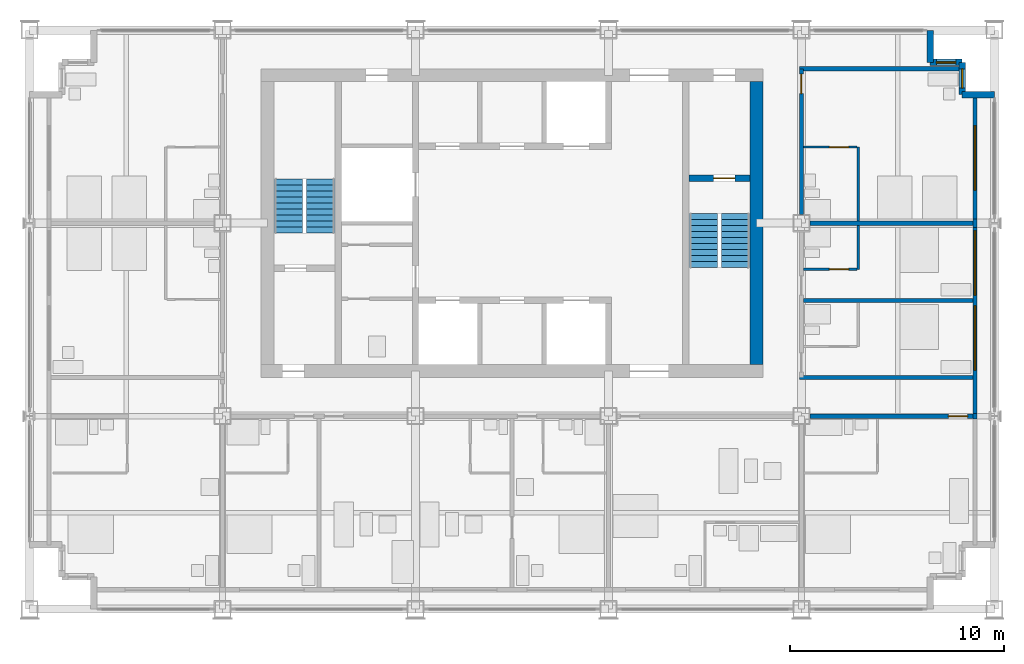
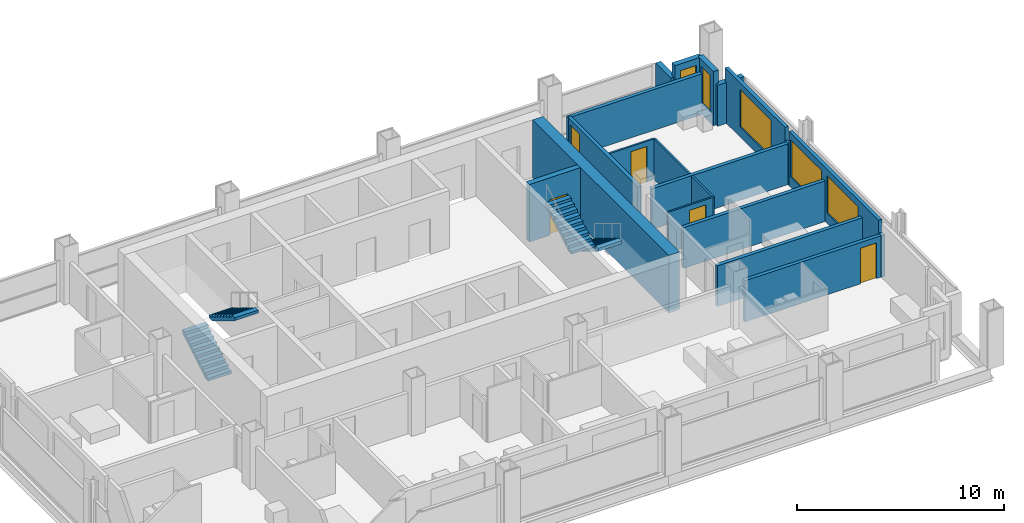
# One storey, part 10 of 13: 20 walls, 5 doors, 5 windows, 4 stair flights, 10 openings, 2 elements without a shape of their own.
"""IFC4 building model written with IfcOpenShell, lengths in metres."""

from ifc_helpers import new_model, si_unit, direction, frame, frame_2d, origin, place, context, subcontext, project, spatial, polyline, rectangle, outline, extrude, material, layer, layer_set, type_object, element, fill, aggregate, save


model = new_model("IFC4")

# Units and contexts
model_context = context("Model", 3, precision=1e-05, world=origin(), true_north=direction((0.0, 1.0)))
body_context = subcontext(model_context, "Body", "Model", "MODEL_VIEW")
ifc_project = project(units=[si_unit("LENGTHUNIT", "METRE"), si_unit("AREAUNIT", "SQUARE_METRE"), si_unit("VOLUMEUNIT", "CUBIC_METRE"), si_unit("PLANEANGLEUNIT", "RADIAN"), si_unit("MASSUNIT", "GRAM", prefix="KILO")], contexts=[model_context])

# Site, building, storey
site_placement = place(None, origin())
site = spatial("IfcSite", under=ifc_project, at=site_placement, CompositionType="ELEMENT")
building_placement = place(site_placement, origin())
building = spatial("IfcBuilding", under=site, at=building_placement, Name="Loomwork Tower", CompositionType="ELEMENT")
storey_placement = place(building_placement, frame((0.0, 0.0, 201.199951171875)))
storey = spatial("IfcBuildingStorey", under=building, at=storey_placement, Name="L55", CompositionType="ELEMENT", Elevation=201.199951171875)

# Wall, opening, door
ifc_material_1 = material(Name="Concrete 14000 psi (97 MPa)", Category="concrete")
ifc_layer_1 = layer(ifc_material_1, 0.300048828125)
ifc_layer_set_1 = layer_set([ifc_layer_1], Name="Core shear wall 300")
wall_type_1 = type_object("IfcWallType", Name="Core shear wall 300", PredefinedType="SHEAR", material=ifc_layer_set_1)
wall_1_placement = place(storey_placement, frame((30.75, 20.10009765625, 0.0), z_axis=(0.0, 0.0, 1.0), x_axis=(1.0, 0.0, 0.0)))
wall_1 = element("IfcWall", 1, at=wall_1_placement, inside=storey, type_object=wall_type_1, Name="Stair B north wall L55", PredefinedType="SHEAR", context=body_context, shape_type="SweptSolid", body=[
    extrude(rectangle(XDim=2.85009765625, YDim=0.300048828125, at=frame_2d((1.425048828125, 0.0))), origin(), (0.0, 0.0, 1.0), 3.400146484375),
])
opening_1_placement = place(wall_1_placement, frame((1.14990234375, 0.0, 0.0)))
opening_1 = element("IfcOpeningElement", 2, at=opening_1_placement, cuts=wall_1, Name="Opening D4", PredefinedType="OPENING", context=body_context, shape_type="SweptSolid", body=[
    extrude(rectangle(XDim=1.0, YDim=2.10009765625, at=frame_2d((0.5, 1.050048828125))), frame((0.0, 0.159912109375, 0.0), z_axis=(0.0, -1.0, 0.0), x_axis=(1.0, 0.0, 0.0)), (0.0, 0.0, 1.0), 0.320068359375),
])
ifc_material_2 = material(Name="Hollow metal door and frame")
door_type_1 = type_object("IfcDoorType", Name="Stair door 1000", OperationType="SINGLE_SWING_RIGHT", PredefinedType="DOOR", material=ifc_material_2)
door_1_placement = place(opening_1_placement, frame((1.0, 0.0, 0.0), z_axis=(0.0, 0.0, 1.0), x_axis=(-1.0, 0.0, 0.0)))
door_1 = element("IfcDoor", 3, at=door_1_placement, inside=storey, type_object=door_type_1, Name="Stair B door", OperationType="SINGLE_SWING_LEFT", OverallHeight=2.10009765625, OverallWidth=1.0, PredefinedType="DOOR", context=body_context, shape_type="SweptSolid", body=[
    extrude(rectangle(XDim=1.0, YDim=2.10009765625, at=frame_2d((0.5, 1.050048828125))), frame((0.0, 0.02490234375, 0.0), z_axis=(0.0, -1.0, 0.0), x_axis=(1.0, 0.0, 0.0)), (0.0, 0.0, 1.0), 0.050048828125),
])
fill(opening_1, door_1)

# Wall
ifc_material_3 = material(Name="Concrete 14000 psi (97 MPa)", Category="concrete")
ifc_layer_2 = layer(ifc_material_3, 0.60009765625)
ifc_layer_set_2 = layer_set([ifc_layer_2], Name="Core shear wall 600")
wall_type_2 = type_object("IfcWallType", Name="Core shear wall 600", PredefinedType="SHEAR", material=ifc_layer_set_2)
wall_2_placement = place(storey_placement, frame((33.89990234375, 11.39990234375, 0.0), z_axis=(0.0, 0.0, 1.0), x_axis=(0.0, 1.0, 0.0)))
element("IfcWall", 4, at=wall_2_placement, inside=storey, type_object=wall_type_2, Name="Core wall east L55", PredefinedType="SHEAR", context=body_context, shape_type="SweptSolid", body=[
    extrude(rectangle(XDim=13.2001953125, YDim=0.60009765625, at=frame_2d((6.60009765625, 0.0))), origin(), (0.0, 0.0, 1.0), 3.400146484375),
])

# Wall, opening, door
ifc_material_4 = material(Name="Gypsum board on steel studs, one-hour", Category="steel")
ifc_layer_3 = layer(ifc_material_4, 0.199951171875)
ifc_layer_set_3 = layer_set([ifc_layer_3], Name="Corridor wall 200")
wall_type_3 = type_object("IfcWallType", Name="Corridor wall 200", PredefinedType="PARTITIONING", material=ifc_layer_set_3)
wall_3_placement = place(storey_placement, frame((36.39990234375, 9.0, 0.0), z_axis=(0.0, 0.0, 1.0), x_axis=(1.0, 0.0, 0.0)))
wall_3 = element("IfcWall", 5, at=wall_3_placement, inside=storey, type_object=wall_type_3, Name="South corridor wall 5", PredefinedType="PARTITIONING", context=body_context, shape_type="SweptSolid", body=[
    extrude(rectangle(XDim=7.60009765625, YDim=0.199951171875, at=frame_2d((3.800048828125, 0.0))), origin(), (0.0, 0.0, 1.0), 2.43798828125),
])
opening_2_placement = place(wall_3_placement, frame((6.449951171875, 0.0, 0.0)))
opening_2 = element("IfcOpeningElement", 6, at=opening_2_placement, cuts=wall_3, Name="Opening D1", PredefinedType="OPENING", context=body_context, shape_type="SweptSolid", body=[
    extrude(rectangle(XDim=0.89990234375, YDim=2.10009765625, at=frame_2d((0.449951171875, 1.050048828125))), frame((0.0, 0.10986328125, 0.0), z_axis=(0.0, -1.0, 0.0), x_axis=(1.0, 0.0, 0.0)), (0.0, 0.0, 1.0), 0.219970703125),
])
ifc_material_5 = material(Name="Hollow metal door and frame")
door_type_2 = type_object("IfcDoorType", Name="Guest room entry door 900", OperationType="SINGLE_SWING_LEFT", PredefinedType="DOOR", material=ifc_material_5)
door_2_placement = place(opening_2_placement, frame((0.89990234375, 0.0, 0.0), z_axis=(0.0, 0.0, 1.0), x_axis=(-1.0, 0.0, 0.0)))
door_2 = element("IfcDoor", 7, at=door_2_placement, inside=storey, type_object=door_type_2, Name="Guest room entry door L55 6", OperationType="SINGLE_SWING_LEFT", OverallHeight=2.10009765625, OverallWidth=0.89990234375, PredefinedType="DOOR", context=body_context, shape_type="SweptSolid", body=[
    extrude(rectangle(XDim=0.89990234375, YDim=2.10009765625, at=frame_2d((0.449951171875, 1.050048828125))), frame((0.0, 0.02490234375, 0.0), z_axis=(0.0, -1.0, 0.0), x_axis=(1.0, 0.0, 0.0)), (0.0, 0.0, 1.0), 0.050048828125),
])
fill(opening_2, door_2)

wall_4_placement = place(storey_placement, frame((36.0, 18.39990234375, 0.0), z_axis=(0.0, 0.0, 1.0), x_axis=(0.0, 1.0, 0.0)))
wall_4 = element("IfcWall", 8, at=wall_4_placement, inside=storey, type_object=wall_type_3, Name="East corridor wall 2", PredefinedType="PARTITIONING", context=body_context, shape_type="SweptSolid", body=[
    extrude(rectangle(XDim=6.800048828125, YDim=0.199951171875, at=frame_2d((3.39990234375, 0.0))), origin(), (0.0, 0.0, 1.0), 2.405029296875),
])
opening_3_placement = place(wall_4_placement, frame((5.64990234375, 0.0, 0.0)))
opening_3 = element("IfcOpeningElement", 9, at=opening_3_placement, cuts=wall_4, Name="Opening D1", PredefinedType="OPENING", context=body_context, shape_type="SweptSolid", body=[
    extrude(rectangle(XDim=0.89990234375, YDim=2.10009765625, at=frame_2d((0.449951171875, 1.050048828125))), frame((0.0, 0.10986328125, 0.0), z_axis=(0.0, -1.0, 0.0), x_axis=(1.0, 0.0, 0.0)), (0.0, 0.0, 1.0), 0.219970703125),
])
door_3_placement = place(opening_3_placement, frame((0.89990234375, 0.0, 0.0), z_axis=(0.0, 0.0, 1.0), x_axis=(-1.0, 0.0, 0.0)))
door_3 = element("IfcDoor", 10, at=door_3_placement, inside=storey, type_object=door_type_2, Name="Guest room entry door L55 11", OperationType="SINGLE_SWING_LEFT", OverallHeight=2.10009765625, OverallWidth=0.89990234375, PredefinedType="DOOR", context=body_context, shape_type="SweptSolid", body=[
    extrude(rectangle(XDim=0.89990234375, YDim=2.10009765625, at=frame_2d((0.449951171875, 1.050048828125))), frame((0.0, 0.02490234375, 0.0), z_axis=(0.0, -1.0, 0.0), x_axis=(1.0, 0.0, 0.0)), (0.0, 0.0, 1.0), 0.050048828125),
])
fill(opening_3, door_3)

# Walls
wall_5_placement = place(storey_placement, frame((35.89990234375, 10.800048828125, 0.0), z_axis=(0.0, 0.0, 1.0), x_axis=(1.0, 0.0, 0.0)))
element("IfcWall", 11, at=wall_5_placement, inside=storey, type_object=wall_type_3, Name="East band end wall S", PredefinedType="PARTITIONING", context=body_context, shape_type="SweptSolid", body=[
    extrude(rectangle(XDim=8.10009765625, YDim=0.199951171875, at=frame_2d((4.050048828125, 0.0))), origin(), (0.0, 0.0, 1.0), 2.404052734375),
])
wall_6_placement = place(storey_placement, frame((35.89990234375, 25.199951171875, 0.0), z_axis=(0.0, 0.0, 1.0), x_axis=(1.0, 0.0, 0.0)))
element("IfcWall", 12, at=wall_6_placement, inside=storey, type_object=wall_type_3, Name="East band end wall N", PredefinedType="PARTITIONING", context=body_context, shape_type="SweptSolid", body=[
    extrude(rectangle(XDim=7.4501953125, YDim=0.199951171875, at=frame_2d((3.72509765625, 0.0))), origin(), (0.0, 0.0, 1.0), 2.404052734375),
])
ifc_material_6 = material(Name="Cement board on steel studs", Category="steel")
ifc_layer_4 = layer(ifc_material_6, 0.10009765625)
ifc_layer_set_4 = layer_set([ifc_layer_4], Name="En-suite partition 100")
wall_type_4 = type_object("IfcWallType", Name="En-suite partition 100", PredefinedType="PARTITIONING", material=ifc_layer_set_4)
wall_7_placement = place(storey_placement, frame((38.64990234375, 15.85009765625, 0.0), z_axis=(0.0, 0.0, 1.0), x_axis=(0.0, 1.0, 0.0)))
element("IfcWall", 13, at=wall_7_placement, inside=storey, type_object=wall_type_4, Name="En-suite wall L55 room 10", PredefinedType="PARTITIONING", context=body_context, shape_type="SweptSolid", body=[
    extrude(rectangle(XDim=2.0498046875, YDim=0.10009765625, at=frame_2d((1.02490234375, 0.0))), origin(), (0.0, 0.0, 1.0), 2.404052734375),
])

# Wall, opening, door
wall_8_placement = place(storey_placement, frame((36.10009765625, 15.85009765625, 0.0), z_axis=(0.0, 0.0, 1.0), x_axis=(1.0, 0.0, 0.0)))
wall_8 = element("IfcWall", 14, at=wall_8_placement, inside=storey, type_object=wall_type_4, Name="En-suite side wall L55 room 10", PredefinedType="PARTITIONING", context=body_context, shape_type="SweptSolid", body=[
    extrude(rectangle(XDim=2.5, YDim=0.10009765625, at=frame_2d((1.25, 0.0))), origin(), (0.0, 0.0, 1.0), 2.404052734375),
])
opening_4_placement = place(wall_8_placement, frame((1.199951171875, 0.0, 0.0)))
opening_4 = element("IfcOpeningElement", 15, at=opening_4_placement, cuts=wall_8, Name="Opening D2", PredefinedType="OPENING", context=body_context, shape_type="SweptSolid", body=[
    extrude(rectangle(XDim=0.89990234375, YDim=2.10009765625, at=frame_2d((0.449951171875, 1.050048828125))), frame((0.0, 0.06005859375, 0.0), z_axis=(0.0, -1.0, 0.0), x_axis=(1.0, 0.0, 0.0)), (0.0, 0.0, 1.0), 0.1201171875),
])
ifc_material_7 = material(Name="Hollow metal door and frame")
door_type_3 = type_object("IfcDoorType", Name="En-suite door 900", OperationType="SINGLE_SWING_LEFT", PredefinedType="DOOR", material=ifc_material_7)
door_4_placement = place(opening_4_placement, origin())
door_4 = element("IfcDoor", 16, at=door_4_placement, inside=storey, type_object=door_type_3, Name="En-suite door room 10", OperationType="SINGLE_SWING_RIGHT", OverallHeight=2.10009765625, OverallWidth=0.89990234375, PredefinedType="DOOR", context=body_context, shape_type="SweptSolid", body=[
    extrude(rectangle(XDim=0.89990234375, YDim=2.10009765625, at=frame_2d((0.449951171875, 1.050048828125))), frame((0.0, 0.02490234375, 0.0), z_axis=(0.0, -1.0, 0.0), x_axis=(1.0, 0.0, 0.0)), (0.0, 0.0, 1.0), 0.050048828125),
])
fill(opening_4, door_4)

# Wall
wall_9_placement = place(storey_placement, frame((38.64990234375, 18.10009765625, 0.0), z_axis=(0.0, 0.0, 1.0), x_axis=(0.0, 1.0, 0.0)))
element("IfcWall", 17, at=wall_9_placement, inside=storey, type_object=wall_type_4, Name="En-suite wall L55 room 11", PredefinedType="PARTITIONING", context=body_context, shape_type="SweptSolid", body=[
    extrude(rectangle(XDim=3.449951171875, YDim=0.10009765625, at=frame_2d((1.72509765625, 0.0))), origin(), (0.0, 0.0, 1.0), 2.404052734375),
])

# Wall, opening, door
wall_10_placement = place(storey_placement, frame((36.10009765625, 21.550048828125, 0.0), z_axis=(0.0, 0.0, 1.0), x_axis=(1.0, 0.0, 0.0)))
wall_10 = element("IfcWall", 18, at=wall_10_placement, inside=storey, type_object=wall_type_4, Name="En-suite side wall L55 room 11", PredefinedType="PARTITIONING", context=body_context, shape_type="SweptSolid", body=[
    extrude(rectangle(XDim=2.5, YDim=0.10009765625, at=frame_2d((1.25, 0.0))), origin(), (0.0, 0.0, 1.0), 2.404052734375),
])
opening_5_placement = place(wall_10_placement, frame((1.199951171875, 0.0, 0.0)))
opening_5 = element("IfcOpeningElement", 19, at=opening_5_placement, cuts=wall_10, Name="Opening D2", PredefinedType="OPENING", context=body_context, shape_type="SweptSolid", body=[
    extrude(rectangle(XDim=0.89990234375, YDim=2.10009765625, at=frame_2d((0.449951171875, 1.050048828125))), frame((0.0, 0.06005859375, 0.0), z_axis=(0.0, -1.0, 0.0), x_axis=(1.0, 0.0, 0.0)), (0.0, 0.0, 1.0), 0.1201171875),
])
door_5_placement = place(opening_5_placement, frame((0.89990234375, 0.0, 0.0), z_axis=(0.0, 0.0, 1.0), x_axis=(-1.0, 0.0, 0.0)))
door_5 = element("IfcDoor", 20, at=door_5_placement, inside=storey, type_object=door_type_3, Name="En-suite door room 11", OperationType="SINGLE_SWING_LEFT", OverallHeight=2.10009765625, OverallWidth=0.89990234375, PredefinedType="DOOR", context=body_context, shape_type="SweptSolid", body=[
    extrude(rectangle(XDim=0.89990234375, YDim=2.10009765625, at=frame_2d((0.449951171875, 1.050048828125))), frame((0.0, 0.02490234375, 0.0), z_axis=(0.0, -1.0, 0.0), x_axis=(1.0, 0.0, 0.0)), (0.0, 0.0, 1.0), 0.050048828125),
])
fill(opening_5, door_5)

# Walls
ifc_material_8 = material(Name="Gypsum board on steel studs, acoustic", Category="steel")
ifc_layer_5 = layer(ifc_material_8, 0.199951171875)
ifc_layer_set_5 = layer_set([ifc_layer_5], Name="Guest room party wall 200")
wall_type_5 = type_object("IfcWallType", Name="Guest room party wall 200", PredefinedType="PARTITIONING", material=ifc_layer_set_5)
wall_11_placement = place(storey_placement, frame((36.10009765625, 14.39990234375, 0.0), z_axis=(0.0, 0.0, 1.0), x_axis=(1.0, 0.0, 0.0)))
element("IfcWall", 21, at=wall_11_placement, inside=storey, type_object=wall_type_5, Name="Guest room party wall E 14.4", PredefinedType="PARTITIONING", context=body_context, shape_type="SweptSolid", body=[
    extrude(rectangle(XDim=7.89990234375, YDim=0.199951171875, at=frame_2d((3.949951171875, 0.0))), origin(), (0.0, 0.0, 1.0), 2.404052734375),
])
wall_12_placement = place(storey_placement, frame((36.39990234375, 18.0, 0.0), z_axis=(0.0, 0.0, 1.0), x_axis=(1.0, 0.0, 0.0)))
element("IfcWall", 22, at=wall_12_placement, inside=storey, type_object=wall_type_5, Name="Guest room party wall E 18", PredefinedType="PARTITIONING", context=body_context, shape_type="SweptSolid", body=[
    extrude(rectangle(XDim=7.60009765625, YDim=0.199951171875, at=frame_2d((3.800048828125, 0.0))), origin(), (0.0, 0.0, 1.0), 2.405029296875),
])
ifc_material_9 = material(Name="Insulated steel stud wall with gypsum lining", Category="steel")
ifc_layer_6 = layer(ifc_material_9, 0.199951171875)
ifc_layer_set_6 = layer_set([ifc_layer_6], Name="Inner skin wall 200")
wall_type_6 = type_object("IfcWallType", Name="Inner skin wall 200", PredefinedType="SOLIDWALL", material=ifc_layer_set_6)
wall_13_placement = place(storey_placement, frame((44.10009765625, 8.86474609375, 0.0), z_axis=(0.0, 0.0, 1.0), x_axis=(0.0, 1.0, 0.0)))
element("IfcWall", 23, at=wall_13_placement, inside=storey, type_object=wall_type_6, Name="Inner skin wall E bay 4", PredefinedType="SOLIDWALL", context=body_context, shape_type="SweptSolid", body=[
    extrude(rectangle(XDim=0.2705078125, YDim=0.199951171875, at=frame_2d((0.13525390625, 0.0))), origin(), (0.0, 0.0, 1.0), 2.43798828125),
])

# Wall, openings, windows
wall_14_placement = place(storey_placement, frame((44.10009765625, 9.13525390625, 0.0), z_axis=(0.0, 0.0, 1.0), x_axis=(0.0, 1.0, 0.0)))
wall_14 = element("IfcWall", 24, at=wall_14_placement, inside=storey, type_object=wall_type_6, Name="Inner skin wall E bay 5", PredefinedType="SOLIDWALL", context=body_context, shape_type="SweptSolid", body=[
    extrude(rectangle(XDim=8.6708984375, YDim=0.199951171875, at=frame_2d((4.33544921875, 0.0))), origin(), (0.0, 0.0, 1.0), 3.199951171875),
])
opening_6_placement = place(wall_14_placement, frame((2.0146484375, 0.0, 0.60009765625)))
opening_6 = element("IfcOpeningElement", 25, at=opening_6_placement, cuts=wall_14, Name="Opening CH1", PredefinedType="OPENING", context=body_context, shape_type="SweptSolid", body=[
    extrude(rectangle(XDim=3.0, YDim=2.199951171875, at=frame_2d((1.5, 1.10009765625))), frame((0.0, 0.10986328125, 0.0), z_axis=(0.0, -1.0, 0.0), x_axis=(1.0, 0.0, 0.0)), (0.0, 0.0, 1.0), 0.219970703125),
])
opening_7_placement = place(wall_14_placement, frame((5.5146484375, 0.0, 0.60009765625)))
opening_7 = element("IfcOpeningElement", 26, at=opening_7_placement, cuts=wall_14, Name="Opening CH1", PredefinedType="OPENING", context=body_context, shape_type="SweptSolid", body=[
    extrude(rectangle(XDim=3.0, YDim=2.199951171875, at=frame_2d((1.5, 1.10009765625))), frame((0.0, 0.10986328125, 0.0), z_axis=(0.0, -1.0, 0.0), x_axis=(1.0, 0.0, 0.0)), (0.0, 0.0, 1.0), 0.219970703125),
])
ifc_material_10 = material(Name="Aluminium frame with clear insulated glass", Category="aluminium")
window_type_1 = type_object("IfcWindowType", Name="Chicago window 3000", PartitioningType="TRIPLE_PANEL_VERTICAL", PredefinedType="WINDOW", material=ifc_material_10)
window_1_placement = place(opening_6_placement, origin())
window_1 = element("IfcWindow", 27, at=window_1_placement, inside=storey, type_object=window_type_1, Name="Chicago window L55 bay 8", OverallHeight=2.199951171875, OverallWidth=3.0, PartitioningType="TRIPLE_PANEL_VERTICAL", PredefinedType="WINDOW", context=body_context, shape_type="SweptSolid", body=[
    extrude(rectangle(XDim=3.0, YDim=2.199951171875, at=frame_2d((1.5, 1.10009765625))), frame((0.0, 0.030029296875, 0.0), z_axis=(0.0, -1.0, 0.0), x_axis=(1.0, 0.0, 0.0)), (0.0, 0.0, 1.0), 0.06005859375),
])
fill(opening_6, window_1)
window_2_placement = place(opening_7_placement, origin())
window_2 = element("IfcWindow", 28, at=window_2_placement, inside=storey, type_object=window_type_1, Name="Chicago window L55 bay 8", OverallHeight=2.199951171875, OverallWidth=3.0, PartitioningType="TRIPLE_PANEL_VERTICAL", PredefinedType="WINDOW", context=body_context, shape_type="SweptSolid", body=[
    extrude(rectangle(XDim=3.0, YDim=2.199951171875, at=frame_2d((1.5, 1.10009765625))), frame((0.0, 0.030029296875, 0.0), z_axis=(0.0, -1.0, 0.0), x_axis=(1.0, 0.0, 0.0)), (0.0, 0.0, 1.0), 0.06005859375),
])
fill(opening_7, window_2)

# Wall
wall_15_placement = place(storey_placement, frame((44.10009765625, 17.80615234375, 0.0), z_axis=(0.0, 0.0, 1.0), x_axis=(0.0, 1.0, 0.0)))
element("IfcWall", 29, at=wall_15_placement, inside=storey, type_object=wall_type_6, Name="Inner skin wall E bay 6", PredefinedType="SOLIDWALL", context=body_context, shape_type="SweptSolid", body=[
    extrude(rectangle(XDim=0.3876953125, YDim=0.199951171875, at=frame_2d((0.19384765625, 0.0))), origin(), (0.0, 0.0, 1.0), 2.404052734375),
])

# Wall, opening, window
wall_16_placement = place(storey_placement, frame((44.10009765625, 18.19384765625, 0.0), z_axis=(0.0, 0.0, 1.0), x_axis=(0.0, 1.0, 0.0)))
wall_16 = element("IfcWall", 30, at=wall_16_placement, inside=storey, type_object=wall_type_6, Name="Inner skin wall E bay 7", PredefinedType="SOLIDWALL", context=body_context, shape_type="SweptSolid", body=[
    extrude(rectangle(XDim=5.80615234375, YDim=0.199951171875, at=frame_2d((2.903076171875, 0.0))), origin(), (0.0, 0.0, 1.0), 3.199951171875),
])
opening_8_placement = place(wall_16_placement, frame((1.356201171875, 0.0, 0.60009765625)))
opening_8 = element("IfcOpeningElement", 31, at=opening_8_placement, cuts=wall_16, Name="Opening CH1", PredefinedType="OPENING", context=body_context, shape_type="SweptSolid", body=[
    extrude(rectangle(XDim=3.0, YDim=2.199951171875, at=frame_2d((1.5, 1.10009765625))), frame((0.0, 0.10986328125, 0.0), z_axis=(0.0, -1.0, 0.0), x_axis=(1.0, 0.0, 0.0)), (0.0, 0.0, 1.0), 0.219970703125),
])
window_3_placement = place(opening_8_placement, origin())
window_3 = element("IfcWindow", 32, at=window_3_placement, inside=storey, type_object=window_type_1, Name="Chicago window L55 bay 9", OverallHeight=2.199951171875, OverallWidth=3.0, PartitioningType="TRIPLE_PANEL_VERTICAL", PredefinedType="WINDOW", context=body_context, shape_type="SweptSolid", body=[
    extrude(rectangle(XDim=3.0, YDim=2.199951171875, at=frame_2d((1.5, 1.10009765625))), frame((0.0, 0.030029296875, 0.0), z_axis=(0.0, -1.0, 0.0), x_axis=(1.0, 0.0, 0.0)), (0.0, 0.0, 1.0), 0.06005859375),
])
fill(opening_8, window_3)

# Wall
ifc_material_11 = material(Name="Limestone on concrete masonry", Category="masonry")
ifc_layer_7 = layer(ifc_material_11, 0.300048828125)
ifc_layer_set_7 = layer_set([ifc_layer_7], Name="Limestone corner wall 300")
wall_type_7 = type_object("IfcWallType", Name="Limestone corner wall 300", PredefinedType="SOLIDWALL", material=ifc_layer_set_7)
wall_17_placement = place(storey_placement, frame((45.0, 24.0, 0.0), z_axis=(0.0, 0.0, 1.0), x_axis=(-1.0, 0.0, 0.0)))
element("IfcWall", 33, at=wall_17_placement, inside=storey, type_object=wall_type_7, Name="Stone corner wall NE 1", PredefinedType="SOLIDWALL", context=body_context, shape_type="SweptSolid", body=[
    extrude(rectangle(XDim=1.5, YDim=0.300048828125, at=frame_2d((0.75, 0.0))), origin(), (0.0, 0.0, 1.0), 2.420166015625),
])

# Wall, opening, window
wall_18_placement = place(storey_placement, frame((43.5, 24.0, 0.0), z_axis=(0.0, 0.0, 1.0), x_axis=(0.0, 1.0, 0.0)))
wall_18 = element("IfcWall", 34, at=wall_18_placement, inside=storey, type_object=wall_type_7, Name="Stone corner wall NE 2", PredefinedType="SOLIDWALL", context=body_context, shape_type="SweptSolid", body=[
    extrude(rectangle(XDim=1.5, YDim=0.300048828125, at=frame_2d((0.75, 0.0))), origin(), (0.0, 0.0, 1.0), 3.199951171875),
])
opening_9_placement = place(wall_18_placement, frame((0.300048828125, 0.0, 0.60009765625)))
opening_9 = element("IfcOpeningElement", 35, at=opening_9_placement, cuts=wall_18, Name="Opening CH2", PredefinedType="OPENING", context=body_context, shape_type="SweptSolid", body=[
    extrude(rectangle(XDim=0.89990234375, YDim=2.199951171875, at=frame_2d((0.449951171875, 1.10009765625))), frame((0.0, 0.159912109375, 0.0), z_axis=(0.0, -1.0, 0.0), x_axis=(1.0, 0.0, 0.0)), (0.0, 0.0, 1.0), 0.320068359375),
])
ifc_material_12 = material(Name="Aluminium frame with clear insulated glass", Category="aluminium")
window_type_2 = type_object("IfcWindowType", Name="Corner window 900", PartitioningType="SINGLE_PANEL", PredefinedType="WINDOW", material=ifc_material_12)
window_4_placement = place(opening_9_placement, origin())
window_4 = element("IfcWindow", 36, at=window_4_placement, inside=storey, type_object=window_type_2, Name="Corner window NE", OverallHeight=2.199951171875, OverallWidth=0.89990234375, PartitioningType="SINGLE_PANEL", PredefinedType="WINDOW", context=body_context, shape_type="SweptSolid", body=[
    extrude(rectangle(XDim=0.89990234375, YDim=2.199951171875, at=frame_2d((0.449951171875, 1.10009765625))), frame((0.0, 0.030029296875, 0.0), z_axis=(0.0, -1.0, 0.0), x_axis=(1.0, 0.0, 0.0)), (0.0, 0.0, 1.0), 0.06005859375),
])
fill(opening_9, window_4)

wall_19_placement = place(storey_placement, frame((43.5, 25.5, 0.0), z_axis=(0.0, 0.0, 1.0), x_axis=(-1.0, 0.0, 0.0)))
wall_19 = element("IfcWall", 37, at=wall_19_placement, inside=storey, type_object=wall_type_7, Name="Stone corner wall NE 3", PredefinedType="SOLIDWALL", context=body_context, shape_type="SweptSolid", body=[
    extrude(rectangle(XDim=1.5, YDim=0.300048828125, at=frame_2d((0.75, 0.0))), origin(), (0.0, 0.0, 1.0), 3.199951171875),
])
opening_10_placement = place(wall_19_placement, frame((0.300048828125, 0.0, 0.60009765625)))
opening_10 = element("IfcOpeningElement", 38, at=opening_10_placement, cuts=wall_19, Name="Opening CH2", PredefinedType="OPENING", context=body_context, shape_type="SweptSolid", body=[
    extrude(rectangle(XDim=0.89990234375, YDim=2.199951171875, at=frame_2d((0.449951171875, 1.10009765625))), frame((0.0, 0.159912109375, 0.0), z_axis=(0.0, -1.0, 0.0), x_axis=(1.0, 0.0, 0.0)), (0.0, 0.0, 1.0), 0.320068359375),
])
window_5_placement = place(opening_10_placement, origin())
window_5 = element("IfcWindow", 39, at=window_5_placement, inside=storey, type_object=window_type_2, Name="Corner window NE", OverallHeight=2.199951171875, OverallWidth=0.89990234375, PartitioningType="SINGLE_PANEL", PredefinedType="WINDOW", context=body_context, shape_type="SweptSolid", body=[
    extrude(rectangle(XDim=0.89990234375, YDim=2.199951171875, at=frame_2d((0.449951171875, 1.10009765625))), frame((0.0, 0.030029296875, 0.0), z_axis=(0.0, -1.0, 0.0), x_axis=(1.0, 0.0, 0.0)), (0.0, 0.0, 1.0), 0.06005859375),
])
fill(opening_10, window_5)

# Wall
wall_20_placement = place(storey_placement, frame((42.0, 25.5, 0.0), z_axis=(0.0, 0.0, 1.0), x_axis=(0.0, 1.0, 0.0)))
element("IfcWall", 40, at=wall_20_placement, inside=storey, type_object=wall_type_7, Name="Stone corner wall NE 4", PredefinedType="SOLIDWALL", context=body_context, shape_type="SweptSolid", body=[
    extrude(rectangle(XDim=1.5, YDim=0.300048828125, at=frame_2d((0.75, 0.0))), origin(), (0.0, 0.0, 1.0), 2.420166015625),
])

# Stair, stair flights
ifc_material_13 = material(Name="Concrete 5000 psi (34 MPa) precast stair", Category="concrete")
stair_type_1 = type_object("IfcStairType", Name="Stair ST-A 20 risers 2850 wide", PredefinedType="HALF_TURN_STAIR", material=ifc_material_13)
stair_1_placement = place(storey_placement, origin())
stair_1 = element("IfcStair", 41, at=stair_1_placement, inside=storey, type_object=stair_type_1, Name="Stair A L55", PredefinedType="HALF_TURN_STAIR")
ifc_material_14 = material(Name="Concrete 5000 psi (34 MPa) precast stair", Category="concrete")
stair_flight_type_1 = type_object("IfcStairFlightType", Name="Stair flight ST-A 10 risers 1300 wide", PredefinedType="STRAIGHT", material=ifc_material_14)
stair_flight_1_placement = place(storey_placement, frame((12.074951171875, 17.550048828125, 0.0), z_axis=(0.0, 0.0, 1.0), x_axis=(0.0, 1.0, 0.0)))
stair_flight_1 = element("IfcStairFlight", 42, at=stair_flight_1_placement, type_object=stair_flight_type_1, Name="ST-A flight 1", NumberOfRisers=10, NumberOfTreads=9, PredefinedType="STRAIGHT", RiserHeight=0.17, TreadLength=0.28, context=body_context, shape_type="SweptSolid", body=[
    extrude(outline(polyline([(0.0, 0.0), (0.0, 0.169921875), (0.280029296875, 0.169921875), (0.280029296875, 0.340087890625), (0.56005859375, 0.340087890625), (0.56005859375, 0.510009765625), (0.840087890625, 0.510009765625), (0.840087890625, 0.679931640625), (1.1201171875, 0.679931640625), (1.1201171875, 0.85009765625), (1.39990234375, 0.85009765625), (1.39990234375, 1.02001953125), (1.679931640625, 1.02001953125), (1.679931640625, 1.18994140625), (1.9599609375, 1.18994140625), (1.9599609375, 1.360107421875), (2.239990234375, 1.360107421875), (2.239990234375, 1.530029296875), (2.52001953125, 1.530029296875), (2.52001953125, 1.699951171875), (2.52001953125, 1.354736328125), (0.288818359375, 0.0), (0.0, 0.0)])), frame((0.0, 0.64990234375, 0.0), z_axis=(0.0, -1.0, 0.0), x_axis=(1.0, 0.0, 0.0)), (0.0, 0.0, 1.0), 1.300048828125),
])
stair_flight_2_placement = place(storey_placement, frame((13.574951171875, 20.070068359375, 1.699951171875), z_axis=(0.0, 0.0, 1.0), x_axis=(0.0, -1.0, 0.0)))
stair_flight_2 = element("IfcStairFlight", 43, at=stair_flight_2_placement, type_object=stair_flight_type_1, Name="ST-A flight 2", NumberOfRisers=10, NumberOfTreads=9, PredefinedType="STRAIGHT", RiserHeight=0.17, TreadLength=0.28, context=body_context, shape_type="SweptSolid", body=[
    extrude(outline(polyline([(0.0, 0.0), (0.0, 0.169921875), (0.280029296875, 0.169921875), (0.280029296875, 0.340087890625), (0.56005859375, 0.340087890625), (0.56005859375, 0.510009765625), (0.840087890625, 0.510009765625), (0.840087890625, 0.679931640625), (1.1201171875, 0.679931640625), (1.1201171875, 0.85009765625), (1.39990234375, 0.85009765625), (1.39990234375, 1.02001953125), (1.679931640625, 1.02001953125), (1.679931640625, 1.18994140625), (1.9599609375, 1.18994140625), (1.9599609375, 1.360107421875), (2.239990234375, 1.360107421875), (2.239990234375, 1.530029296875), (2.52001953125, 1.530029296875), (2.52001953125, 1.699951171875), (2.52001953125, 1.354736328125), (0.288818359375, 0.0), (0.0, 0.0)])), frame((0.0, 0.64990234375, 0.0), z_axis=(0.0, -1.0, 0.0), x_axis=(1.0, 0.0, 0.0)), (0.0, 0.0, 1.0), 1.300048828125),
])
aggregate(stair_1, [stair_flight_1, stair_flight_2])

ifc_material_15 = material(Name="Concrete 5000 psi (34 MPa) precast stair", Category="concrete")
stair_type_2 = type_object("IfcStairType", Name="Stair ST-B 20 risers 2850 wide", PredefinedType="HALF_TURN_STAIR", material=ifc_material_15)
stair_2_placement = place(storey_placement, origin())
stair_2 = element("IfcStair", 44, at=stair_2_placement, inside=storey, type_object=stair_type_2, Name="Stair B L55", PredefinedType="HALF_TURN_STAIR")
ifc_material_16 = material(Name="Concrete 5000 psi (34 MPa) precast stair", Category="concrete")
stair_flight_type_2 = type_object("IfcStairFlightType", Name="Stair flight ST-B 10 risers 1300 wide", PredefinedType="STRAIGHT", material=ifc_material_16)
stair_flight_3_placement = place(storey_placement, frame((32.925048828125, 18.449951171875, 0.0), z_axis=(0.0, 0.0, 1.0), x_axis=(0.0, -1.0, 0.0)))
stair_flight_3 = element("IfcStairFlight", 45, at=stair_flight_3_placement, type_object=stair_flight_type_2, Name="ST-B flight 1", NumberOfRisers=10, NumberOfTreads=9, PredefinedType="STRAIGHT", RiserHeight=0.17, TreadLength=0.28, context=body_context, shape_type="SweptSolid", body=[
    extrude(outline(polyline([(0.0, 0.0), (0.0, 0.169921875), (0.280029296875, 0.169921875), (0.280029296875, 0.340087890625), (0.56005859375, 0.340087890625), (0.56005859375, 0.510009765625), (0.840087890625, 0.510009765625), (0.840087890625, 0.679931640625), (1.1201171875, 0.679931640625), (1.1201171875, 0.85009765625), (1.39990234375, 0.85009765625), (1.39990234375, 1.02001953125), (1.679931640625, 1.02001953125), (1.679931640625, 1.18994140625), (1.9599609375, 1.18994140625), (1.9599609375, 1.360107421875), (2.239990234375, 1.360107421875), (2.239990234375, 1.530029296875), (2.52001953125, 1.530029296875), (2.52001953125, 1.699951171875), (2.52001953125, 1.354736328125), (0.288818359375, 0.0), (0.0, 0.0)])), frame((0.0, 0.64990234375, 0.0), z_axis=(0.0, -1.0, 0.0), x_axis=(1.0, 0.0, 0.0)), (0.0, 0.0, 1.0), 1.300048828125),
])
stair_flight_4_placement = place(storey_placement, frame((31.425048828125, 15.929931640625, 1.699951171875), z_axis=(0.0, 0.0, 1.0), x_axis=(0.0, 1.0, 0.0)))
stair_flight_4 = element("IfcStairFlight", 46, at=stair_flight_4_placement, type_object=stair_flight_type_2, Name="ST-B flight 2", NumberOfRisers=10, NumberOfTreads=9, PredefinedType="STRAIGHT", RiserHeight=0.17, TreadLength=0.28, context=body_context, shape_type="SweptSolid", body=[
    extrude(outline(polyline([(0.0, 0.0), (0.0, 0.169921875), (0.280029296875, 0.169921875), (0.280029296875, 0.340087890625), (0.56005859375, 0.340087890625), (0.56005859375, 0.510009765625), (0.840087890625, 0.510009765625), (0.840087890625, 0.679931640625), (1.1201171875, 0.679931640625), (1.1201171875, 0.85009765625), (1.39990234375, 0.85009765625), (1.39990234375, 1.02001953125), (1.679931640625, 1.02001953125), (1.679931640625, 1.18994140625), (1.9599609375, 1.18994140625), (1.9599609375, 1.360107421875), (2.239990234375, 1.360107421875), (2.239990234375, 1.530029296875), (2.52001953125, 1.530029296875), (2.52001953125, 1.699951171875), (2.52001953125, 1.354736328125), (0.288818359375, 0.0), (0.0, 0.0)])), frame((0.0, 0.64990234375, 0.0), z_axis=(0.0, -1.0, 0.0), x_axis=(1.0, 0.0, 0.0)), (0.0, 0.0, 1.0), 1.300048828125),
])
aggregate(stair_2, [stair_flight_3, stair_flight_4])

save(model, "model.ifc")
